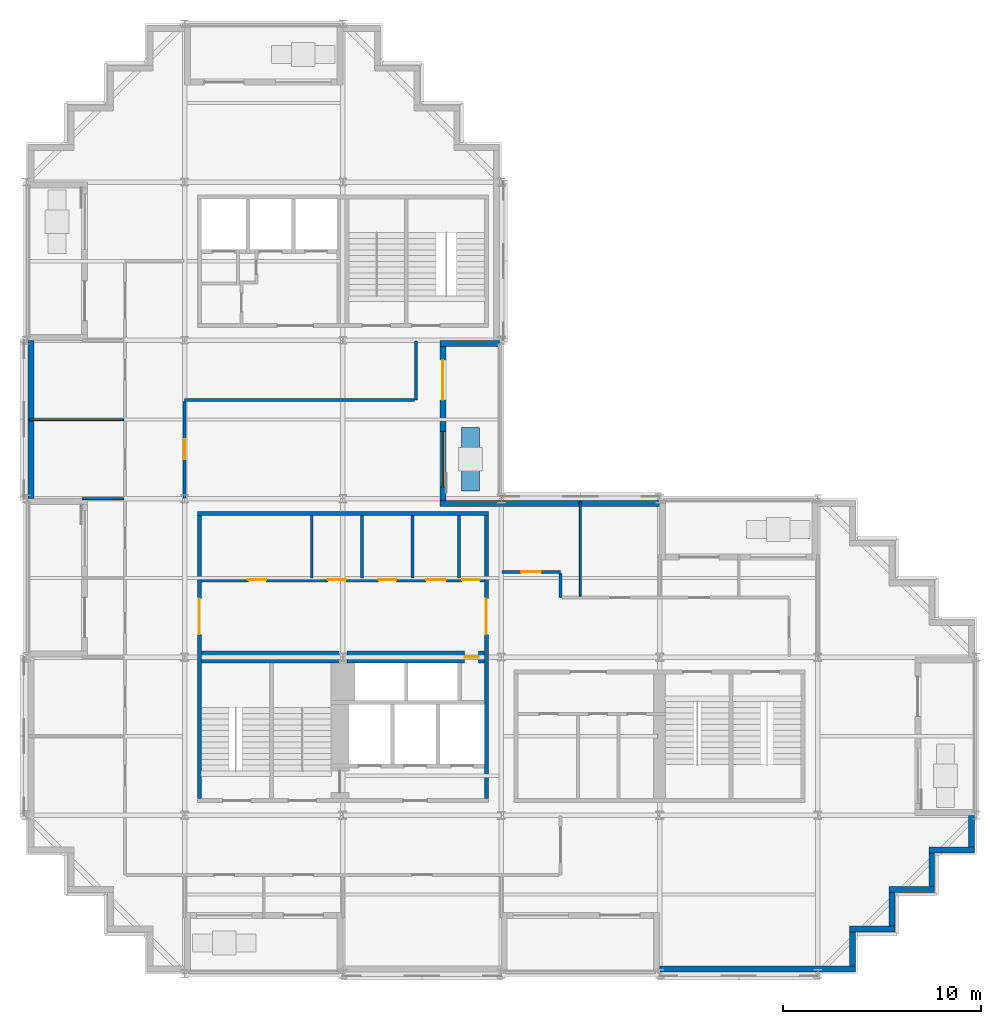
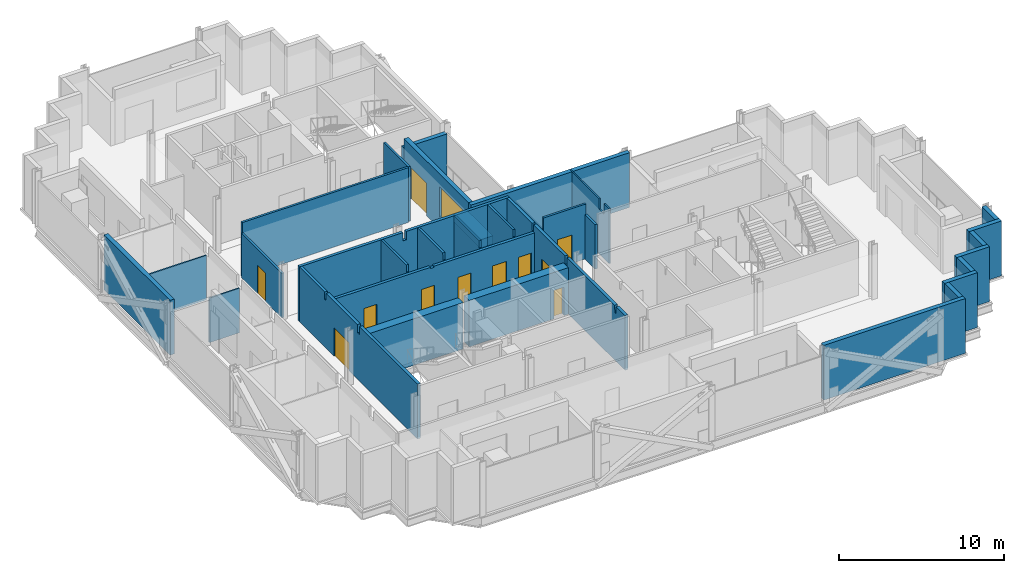
# One storey, part 6 of 12: 31 walls, 11 doors, 1 window, 12 openings.
"""IFC4 building model written with IfcOpenShell, lengths in metres."""

from ifc_helpers import new_model, si_unit, direction, frame, frame_2d, origin, place, context, subcontext, project, spatial, polyline, rectangle, outline, extrude, material, layer, layer_set, type_object, element, fill, save


model = new_model("IFC4")

# Units and contexts
model_context = context("Model", 3, precision=1e-05, world=origin(), true_north=direction((0.0, 1.0)))
body_context = subcontext(model_context, "Body", "Model", "MODEL_VIEW")
ifc_project = project(units=[si_unit("LENGTHUNIT", "METRE"), si_unit("AREAUNIT", "SQUARE_METRE"), si_unit("VOLUMEUNIT", "CUBIC_METRE"), si_unit("PLANEANGLEUNIT", "RADIAN"), si_unit("MASSUNIT", "GRAM", prefix="KILO")], contexts=[model_context])

# Site, building, storey
site_placement = place(None, origin())
site = spatial("IfcSite", under=ifc_project, at=site_placement, CompositionType="ELEMENT")
building_placement = place(site_placement, origin())
building = spatial("IfcBuilding", under=site, at=building_placement, Name="Immortelle Media Tower", CompositionType="ELEMENT")
storey_placement = place(building_placement, frame((0.0, 0.0, 132.60009765625)))
storey = spatial("IfcBuildingStorey", under=building, at=storey_placement, Name="L26", CompositionType="ELEMENT", Elevation=132.60009765625)

# Wall, opening, door
ifc_material_1 = material(Name="Fire-rated masonry blockwork", Category="masonry")
ifc_layer_1 = layer(ifc_material_1, 0.60009765625)
ifc_layer_set_1 = layer_set([ifc_layer_1], Name="Fire-rated masonry blockwork")
wall_type_1 = type_object("IfcWallType", Name="Core grid-line wall 600", PredefinedType="PARTITIONING", material=ifc_layer_set_1)
wall_1_placement = place(storey_placement, frame((16.21044921875, 16.0, 0.0), z_axis=(0.0, 0.0, 1.0), x_axis=(1.0, 0.0, 0.0)))
wall_1 = element("IfcWall", 1, at=wall_1_placement, inside=storey, type_object=wall_type_1, Name="Core grid-line wall SW", PredefinedType="PARTITIONING", context=body_context, shape_type="SweptSolid", body=[
    extrude(rectangle(XDim=6.939453125, YDim=0.60009765625, at=frame_2d((3.4697265625, 0.0))), origin(), (0.0, 0.0, 1.0), 3.431884765625),
])
opening_1_placement = place(wall_1_placement, frame((6.639404296875, 0.0, 0.0), z_axis=(0.0, 0.0, 1.0), x_axis=(-1.0, 0.0, 0.0)))
opening_1 = element("IfcOpeningElement", 2, at=opening_1_placement, cuts=wall_1, Name="Opening C2-K014", PredefinedType="OPENING", context=body_context, shape_type="SweptSolid", body=[
    extrude(rectangle(XDim=0.699951171875, YDim=2.10009765625, at=frame_2d((0.35009765625, 1.050048828125))), frame((0.0, 0.31005859375, 0.0), z_axis=(0.0, -1.0, 0.0), x_axis=(1.0, 0.0, 0.0)), (0.0, 0.0, 1.0), 0.6201171875),
])
ifc_material_2 = material(Name="Galvanised steel door leaf and frame ASTM A653", Category="steel")
door_type_1 = type_object("IfcDoorType", Name="Service door 700 x 2100", OperationType="NOTDEFINED", PredefinedType="NOTDEFINED", material=ifc_material_2)
door_1_placement = place(opening_1_placement, origin())
door_1 = element("IfcDoor", 3, at=door_1_placement, inside=storey, type_object=door_type_1, Name="Service C2-K014", OperationType="SINGLE_SWING_RIGHT", OverallHeight=2.10009765625, OverallWidth=0.699951171875, PredefinedType="NOTDEFINED", context=body_context, shape_type="SweptSolid", body=[
    extrude(rectangle(XDim=0.699951171875, YDim=2.10009765625, at=frame_2d((0.35009765625, 1.050048828125))), frame((0.0, 0.02490234375, 0.0), z_axis=(0.0, -1.0, 0.0), x_axis=(1.0, 0.0, 0.0)), (0.0, 0.0, 1.0), 0.050048828125),
])
fill(opening_1, door_1)

# Walls
ifc_material_3 = material(Name="Fire-rated gypsum board", Category="gypsum")
ifc_layer_2 = layer(ifc_material_3, 0.02490234375)
ifc_material_4 = material(Name="Steel ASTM A653 SS Gr 50 stud frame with mineral wool", Category="steel")
ifc_layer_3 = layer(ifc_material_4, 0.10009765625)
ifc_layer_4 = layer(ifc_material_3, 0.02490234375)
ifc_layer_set_2 = layer_set([ifc_layer_2, ifc_layer_3, ifc_layer_4], Name="Steel ASTM A653 SS Gr 50 stud frame with mineral wool")
wall_type_2 = type_object("IfcWallType", Name="Core partition 150", PredefinedType="PARTITIONING", material=ifc_layer_set_2)
for number, where, z_axis, x_axis, name in (
    (4, (14.425048828125, 20.0, 0.0), (0.0, 0.0, 1.0), (0.0, 1.0, 0.0), "Core partition SW"),
    (5, (16.97509765625, 20.0, 0.0), (0.0, 0.0, 1.0), (0.0, 1.0, 0.0), "Core partition SW"),
    (6, (19.52490234375, 20.0, 0.0), (0.0, 0.0, 1.0), (0.0, 1.0, 0.0), "Core partition SW"),
    (7, (21.875, 20.0, 0.0), (0.0, 0.0, 1.0), (0.0, 1.0, 0.0), "Core partition SW"),
):
    element("IfcWall", number, at=place(storey_placement, frame(where, z_axis=z_axis, x_axis=x_axis)), inside=storey, type_object=wall_type_2, Name=name, PredefinedType="PARTITIONING", context=body_context, shape_type="SweptSolid", body=[
        extrude(outline(polyline([(0.0, 0.0), (3.14990234375, 0.0), (3.14990234375, 4.0498046875), (0.08740234375, 4.0498046875), (0.08642578125, 3.517822265625), (0.0, 3.517822265625), (0.0, 0.0)])), frame((0.0, 0.074951171875, 0.0), z_axis=(0.0, -1.0, 0.0), x_axis=(1.0, 0.0, 0.0)), (0.0, 0.0, 1.0), 0.14990234375),
    ])
ifc_layer_5 = layer(ifc_material_3, 0.03759765625)
ifc_layer_6 = layer(ifc_material_4, 0.125)
ifc_layer_7 = layer(ifc_material_3, 0.03759765625)
ifc_layer_set_3 = layer_set([ifc_layer_5, ifc_layer_6, ifc_layer_7], Name="Steel ASTM A653 SS Gr 50 stud frame with mineral wool")
wall_type_3 = type_object("IfcWallType", Name="Core shaft wall 200", PredefinedType="PARTITIONING", material=ifc_layer_set_3)
wall_2_placement = place(storey_placement, frame((8.64990234375, 23.25, 0.0), z_axis=(0.0, 0.0, 1.0), x_axis=(1.0, 0.0, 0.0)))
element("IfcWall", 8, at=wall_2_placement, inside=storey, type_object=wall_type_3, Name="Core shaft wall SW", PredefinedType="PARTITIONING", context=body_context, shape_type="SweptSolid", body=[
    extrude(outline(polyline([(0.0, 0.0), (14.7001953125, 0.0), (14.699951171875, 4.0498046875), (7.469482421875, 4.0498046875), (7.468505859375, 3.431884765625), (7.2314453125, 3.431884765625), (7.23046875, 4.0498046875), (0.0, 4.0498046875), (0.0, 0.0)])), frame((0.0, 0.10009765625, 0.0), z_axis=(0.0, -1.0, 0.0), x_axis=(1.0, 0.0, 0.0)), (0.0, 0.0, 1.0), 0.199951171875),
])

# Wall, openings, doors
wall_3_placement = place(storey_placement, frame((8.85009765625, 19.89990234375, 0.0), z_axis=(0.0, 0.0, 1.0), x_axis=(1.0, 0.0, 0.0)))
wall_3 = element("IfcWall", 9, at=wall_3_placement, inside=storey, type_object=wall_type_3, Name="Core shaft wall SW", PredefinedType="PARTITIONING", context=body_context, shape_type="SweptSolid", body=[
    extrude(outline(polyline([(0.0, 0.0), (14.2998046875, 0.0), (14.300048828125, 3.517822265625), (7.26953125, 3.517822265625), (7.2685546875, 3.431884765625), (7.031494140625, 3.431884765625), (7.030517578125, 3.517822265625), (0.0, 3.517822265625), (0.0, 0.0)])), frame((0.0, 0.10009765625, 0.0), z_axis=(0.0, -1.0, 0.0), x_axis=(1.0, 0.0, 0.0)), (0.0, 0.0, 1.0), 0.199951171875),
])
opening_2_placement = place(wall_3_placement, frame((2.375, 0.0, 0.0)))
opening_2 = element("IfcOpeningElement", 10, at=opening_2_placement, cuts=wall_3, Name="Opening C2-K003", PredefinedType="OPENING", context=body_context, shape_type="SweptSolid", body=[
    extrude(rectangle(XDim=0.89990234375, YDim=2.10009765625, at=frame_2d((0.449951171875, 1.050048828125))), frame((0.0, 0.10986328125, 0.0), z_axis=(0.0, -1.0, 0.0), x_axis=(1.0, 0.0, 0.0)), (0.0, 0.0, 1.0), 0.219970703125),
])
opening_3_placement = place(wall_3_placement, frame((6.39990234375, 0.0, 0.0)))
opening_3 = element("IfcOpeningElement", 11, at=opening_3_placement, cuts=wall_3, Name="Opening C2-K005", PredefinedType="OPENING", context=body_context, shape_type="SweptSolid", body=[
    extrude(rectangle(XDim=0.89990234375, YDim=2.10009765625, at=frame_2d((0.449951171875, 1.050048828125))), frame((0.0, 0.10986328125, 0.0), z_axis=(0.0, -1.0, 0.0), x_axis=(1.0, 0.0, 0.0)), (0.0, 0.0, 1.0), 0.219970703125),
])
opening_4_placement = place(wall_3_placement, frame((8.949951171875, 0.0, 0.0)))
opening_4 = element("IfcOpeningElement", 12, at=opening_4_placement, cuts=wall_3, Name="Opening C2-K008", PredefinedType="OPENING", context=body_context, shape_type="SweptSolid", body=[
    extrude(rectangle(XDim=0.89990234375, YDim=2.10009765625, at=frame_2d((0.449951171875, 1.050048828125))), frame((0.0, 0.10986328125, 0.0), z_axis=(0.0, -1.0, 0.0), x_axis=(1.0, 0.0, 0.0)), (0.0, 0.0, 1.0), 0.219970703125),
])
opening_5_placement = place(wall_3_placement, frame((11.35009765625, 0.0, 0.0)))
opening_5 = element("IfcOpeningElement", 13, at=opening_5_placement, cuts=wall_3, Name="Opening C2-K011", PredefinedType="OPENING", context=body_context, shape_type="SweptSolid", body=[
    extrude(rectangle(XDim=1.0, YDim=2.10009765625, at=frame_2d((0.5, 1.050048828125))), frame((0.0, 0.10986328125, 0.0), z_axis=(0.0, -1.0, 0.0), x_axis=(1.0, 0.0, 0.0)), (0.0, 0.0, 1.0), 0.219970703125),
])
opening_6_placement = place(wall_3_placement, frame((13.175048828125, 0.0, 0.0)))
opening_6 = element("IfcOpeningElement", 14, at=opening_6_placement, cuts=wall_3, Name="Opening C2-K013", PredefinedType="OPENING", context=body_context, shape_type="SweptSolid", body=[
    extrude(rectangle(XDim=0.89990234375, YDim=2.10009765625, at=frame_2d((0.449951171875, 1.050048828125))), frame((0.0, 0.10986328125, 0.0), z_axis=(0.0, -1.0, 0.0), x_axis=(1.0, 0.0, 0.0)), (0.0, 0.0, 1.0), 0.219970703125),
])
ifc_material_5 = material(Name="Timber", Category="wood")
door_type_2 = type_object("IfcDoorType", Name="Accessible toilet door 1000 x 2100", OperationType="NOTDEFINED", PredefinedType="NOTDEFINED", material=ifc_material_5)
door_2_placement = place(opening_5_placement, origin())
door_2 = element("IfcDoor", 15, at=door_2_placement, inside=storey, type_object=door_type_2, Name="Accessible toilet C2-K011", OperationType="SINGLE_SWING_RIGHT", OverallHeight=2.10009765625, OverallWidth=1.0, PredefinedType="NOTDEFINED", context=body_context, shape_type="SweptSolid", body=[
    extrude(rectangle(XDim=1.0, YDim=2.10009765625, at=frame_2d((0.5, 1.050048828125))), frame((0.0, 0.02490234375, 0.0), z_axis=(0.0, -1.0, 0.0), x_axis=(1.0, 0.0, 0.0)), (0.0, 0.0, 1.0), 0.050048828125),
])
fill(opening_5, door_2)
door_type_3 = type_object("IfcDoorType", Name="Room door 900 x 2100", OperationType="NOTDEFINED", PredefinedType="NOTDEFINED", material=ifc_material_5)
door_3_placement = place(opening_2_placement, origin())
door_3 = element("IfcDoor", 16, at=door_3_placement, inside=storey, type_object=door_type_3, Name="Room C2-K003", OperationType="SINGLE_SWING_RIGHT", OverallHeight=2.10009765625, OverallWidth=0.89990234375, PredefinedType="NOTDEFINED", context=body_context, shape_type="SweptSolid", body=[
    extrude(rectangle(XDim=0.89990234375, YDim=2.10009765625, at=frame_2d((0.449951171875, 1.050048828125))), frame((0.0, 0.02490234375, 0.0), z_axis=(0.0, -1.0, 0.0), x_axis=(1.0, 0.0, 0.0)), (0.0, 0.0, 1.0), 0.050048828125),
])
fill(opening_2, door_3)
door_type_4 = type_object("IfcDoorType", Name="Service door 900 x 2100", OperationType="NOTDEFINED", PredefinedType="NOTDEFINED", material=ifc_material_2)
door_4_placement = place(opening_6_placement, origin())
door_4 = element("IfcDoor", 17, at=door_4_placement, inside=storey, type_object=door_type_4, Name="Service C2-K013", OperationType="SINGLE_SWING_LEFT", OverallHeight=2.10009765625, OverallWidth=0.89990234375, PredefinedType="NOTDEFINED", context=body_context, shape_type="SweptSolid", body=[
    extrude(rectangle(XDim=0.89990234375, YDim=2.10009765625, at=frame_2d((0.449951171875, 1.050048828125))), frame((0.0, 0.02490234375, 0.0), z_axis=(0.0, -1.0, 0.0), x_axis=(1.0, 0.0, 0.0)), (0.0, 0.0, 1.0), 0.050048828125),
])
fill(opening_6, door_4)
door_type_5 = type_object("IfcDoorType", Name="Toilet door 900 x 2100", OperationType="NOTDEFINED", PredefinedType="NOTDEFINED", material=ifc_material_5)
door_5_placement = place(opening_3_placement, origin())
door_5 = element("IfcDoor", 18, at=door_5_placement, inside=storey, type_object=door_type_5, Name="Toilet C2-K005", OperationType="SINGLE_SWING_LEFT", OverallHeight=2.10009765625, OverallWidth=0.89990234375, PredefinedType="NOTDEFINED", context=body_context, shape_type="SweptSolid", body=[
    extrude(rectangle(XDim=0.89990234375, YDim=2.10009765625, at=frame_2d((0.449951171875, 1.050048828125))), frame((0.0, 0.02490234375, 0.0), z_axis=(0.0, -1.0, 0.0), x_axis=(1.0, 0.0, 0.0)), (0.0, 0.0, 1.0), 0.050048828125),
])
fill(opening_3, door_5)
door_6_placement = place(opening_4_placement, origin())
door_6 = element("IfcDoor", 19, at=door_6_placement, inside=storey, type_object=door_type_5, Name="Toilet C2-K008", OperationType="SINGLE_SWING_LEFT", OverallHeight=2.10009765625, OverallWidth=0.89990234375, PredefinedType="NOTDEFINED", context=body_context, shape_type="SweptSolid", body=[
    extrude(rectangle(XDim=0.89990234375, YDim=2.10009765625, at=frame_2d((0.449951171875, 1.050048828125))), frame((0.0, 0.02490234375, 0.0), z_axis=(0.0, -1.0, 0.0), x_axis=(1.0, 0.0, 0.0)), (0.0, 0.0, 1.0), 0.050048828125),
])
fill(opening_4, door_6)

# Wall, opening, door
wall_4_placement = place(storey_placement, frame((23.25, 8.85009765625, 0.0), z_axis=(0.0, 0.0, 1.0), x_axis=(0.0, 1.0, 0.0)))
wall_4 = element("IfcWall", 20, at=wall_4_placement, inside=storey, type_object=wall_type_3, Name="Core shaft wall SW", PredefinedType="PARTITIONING", context=body_context, shape_type="SweptSolid", body=[
    extrude(outline(polyline([(0.0, 0.0), (14.2998046875, 0.0), (14.300048828125, 4.0498046875), (11.237548828125, 4.0498046875), (11.236572265625, 3.517822265625), (11.0634765625, 3.517822265625), (11.0625, 4.0498046875), (7.26953125, 4.0498046875), (7.2685546875, 3.431884765625), (7.031494140625, 3.431884765625), (7.030517578125, 4.0498046875), (1.237548828125, 4.0498046875), (1.236572265625, 3.517822265625), (1.0634765625, 3.517822265625), (1.0625, 4.0498046875), (0.0, 4.0498046875), (0.0, 0.0)])), frame((0.0, 0.10009765625, 0.0), z_axis=(0.0, -1.0, 0.0), x_axis=(1.0, 0.0, 0.0)), (0.0, 0.0, 1.0), 0.199951171875),
])
opening_7_placement = place(wall_4_placement, frame((8.300048828125, 0.0, 0.0)))
opening_7 = element("IfcOpeningElement", 21, at=opening_7_placement, cuts=wall_4, Name="Opening C2-K015", PredefinedType="OPENING", context=body_context, shape_type="SweptSolid", body=[
    extrude(rectangle(XDim=1.800048828125, YDim=2.10009765625, at=frame_2d((0.89990234375, 1.050048828125))), frame((0.0, 0.10986328125, 0.0), z_axis=(0.0, -1.0, 0.0), x_axis=(1.0, 0.0, 0.0)), (0.0, 0.0, 1.0), 0.219970703125),
])
door_type_6 = type_object("IfcDoorType", Name="Lift lobby door 1800 x 2100", OperationType="DOUBLE_DOOR_SINGLE_SWING", PredefinedType="NOTDEFINED", material=ifc_material_2)
door_7_placement = place(opening_7_placement, origin())
door_7 = element("IfcDoor", 22, at=door_7_placement, inside=storey, type_object=door_type_6, Name="Lift lobby C2-K015", OperationType="DOUBLE_DOOR_SINGLE_SWING", OverallHeight=2.10009765625, OverallWidth=1.800048828125, PredefinedType="NOTDEFINED", context=body_context, shape_type="SweptSolid", body=[
    extrude(rectangle(XDim=1.800048828125, YDim=2.10009765625, at=frame_2d((0.89990234375, 1.050048828125))), frame((0.0, 0.02490234375, 0.0), z_axis=(0.0, -1.0, 0.0), x_axis=(1.0, 0.0, 0.0)), (0.0, 0.0, 1.0), 0.050048828125),
])
fill(opening_7, door_7)

# Wall
ifc_layer_8 = layer(ifc_material_3, 0.012451171875)
ifc_layer_9 = layer(ifc_material_4, 0.125)
ifc_layer_10 = layer(ifc_material_3, 0.012451171875)
ifc_layer_set_4 = layer_set([ifc_layer_8, ifc_layer_9, ifc_layer_10], Name="Steel ASTM A653 SS Gr 50 stud frame with mineral wool")
wall_type_4 = type_object("IfcWallType", Name="Corridor wall 150", PredefinedType="PARTITIONING", material=ifc_layer_set_4)
wall_5_placement = place(storey_placement, frame((27.0, 19.0, 0.0), z_axis=(0.0, 0.0, 1.0), x_axis=(0.0, 1.0, 0.0)))
element("IfcWall", 23, at=wall_5_placement, inside=storey, type_object=wall_type_4, Name="Partition L26-013", PredefinedType="PARTITIONING", context=body_context, shape_type="SweptSolid", body=[
    extrude(rectangle(XDim=1.22509765625, YDim=0.14990234375, at=frame_2d((0.612548828125, 0.0))), origin(), (0.0, 0.0, 1.0), 3.287841796875),
])

# Wall, opening, door
wall_6_placement = place(storey_placement, frame((24.030029296875, 20.300048828125, 0.0), z_axis=(0.0, 0.0, 1.0), x_axis=(1.0, 0.0, 0.0)))
wall_6 = element("IfcWall", 24, at=wall_6_placement, inside=storey, type_object=wall_type_4, Name="Partition L26-018", PredefinedType="PARTITIONING", context=body_context, shape_type="SweptSolid", body=[
    extrude(rectangle(XDim=2.969970703125, YDim=0.14990234375, at=frame_2d((1.48486328125, 0.0))), origin(), (0.0, 0.0, 1.0), 4.0498046875),
])
opening_8_placement = place(wall_6_placement, frame((0.969970703125, 0.0, 0.0)))
opening_8 = element("IfcOpeningElement", 25, at=opening_8_placement, cuts=wall_6, Name="Opening C2-F011", PredefinedType="OPENING", context=body_context, shape_type="SweptSolid", body=[
    extrude(rectangle(XDim=1.0, YDim=2.10009765625, at=frame_2d((0.5, 1.050048828125))), frame((0.0, 0.0849609375, 0.0), z_axis=(0.0, -1.0, 0.0), x_axis=(1.0, 0.0, 0.0)), (0.0, 0.0, 1.0), 0.169921875),
])
ifc_material_6 = material(Name="Timber veneered door leaf, galvanised steel frame ASTM A653", Category="steel")
door_type_7 = type_object("IfcDoorType", Name="Room door 1000 x 2100", OperationType="NOTDEFINED", PredefinedType="DOOR", material=ifc_material_6)
door_8_placement = place(opening_8_placement, origin())
door_8 = element("IfcDoor", 26, at=door_8_placement, inside=storey, type_object=door_type_7, Name="Door C2-F011", OperationType="SINGLE_SWING_LEFT", OverallHeight=2.10009765625, OverallWidth=1.0, PredefinedType="DOOR", context=body_context, shape_type="SweptSolid", body=[
    extrude(rectangle(XDim=1.0, YDim=2.10009765625, at=frame_2d((0.5, 1.050048828125))), frame((0.0, 0.02490234375, 0.0), z_axis=(0.0, -1.0, 0.0), x_axis=(1.0, 0.0, 0.0)), (0.0, 0.0, 1.0), 0.050048828125),
])
fill(opening_8, door_8)

wall_7_placement = place(storey_placement, frame((8.0, 24.030029296875, 0.0), z_axis=(0.0, 0.0, 1.0), x_axis=(0.0, 1.0, 0.0)))
wall_7 = element("IfcWall", 27, at=wall_7_placement, inside=storey, type_object=wall_type_4, Name="Partition L26-020", PredefinedType="PARTITIONING", context=body_context, shape_type="SweptSolid", body=[
    extrude(rectangle(XDim=4.89501953125, YDim=0.14990234375, at=frame_2d((2.447509765625, 0.0))), origin(), (0.0, 0.0, 1.0), 3.287841796875),
])
opening_9_placement = place(wall_7_placement, frame((2.969970703125, 0.0, 0.0), z_axis=(0.0, 0.0, 1.0), x_axis=(-1.0, 0.0, 0.0)))
opening_9 = element("IfcOpeningElement", 28, at=opening_9_placement, cuts=wall_7, Name="Opening C2-F013", PredefinedType="OPENING", context=body_context, shape_type="SweptSolid", body=[
    extrude(rectangle(XDim=1.0, YDim=2.10009765625, at=frame_2d((0.5, 1.050048828125))), frame((0.0, 0.0849609375, 0.0), z_axis=(0.0, -1.0, 0.0), x_axis=(1.0, 0.0, 0.0)), (0.0, 0.0, 1.0), 0.169921875),
])
door_9_placement = place(opening_9_placement, origin())
door_9 = element("IfcDoor", 29, at=door_9_placement, inside=storey, type_object=door_type_7, Name="Door C2-F013", OperationType="SINGLE_SWING_RIGHT", OverallHeight=2.10009765625, OverallWidth=1.0, PredefinedType="DOOR", context=body_context, shape_type="SweptSolid", body=[
    extrude(rectangle(XDim=1.0, YDim=2.10009765625, at=frame_2d((0.5, 1.050048828125))), frame((0.0, 0.02490234375, 0.0), z_axis=(0.0, -1.0, 0.0), x_axis=(1.0, 0.0, 0.0)), (0.0, 0.0, 1.0), 0.050048828125),
])
fill(opening_9, door_9)

# Walls
wall_8_placement = place(storey_placement, frame((8.0, 29.0, 0.0), z_axis=(0.0, 0.0, 1.0), x_axis=(1.0, 0.0, 0.0)))
element("IfcWall", 30, at=wall_8_placement, inside=storey, type_object=wall_type_4, Name="Partition L26-022", PredefinedType="PARTITIONING", context=body_context, shape_type="SweptSolid", body=[
    extrude(rectangle(XDim=11.625, YDim=0.14990234375, at=frame_2d((5.8125, 0.0))), origin(), (0.0, 0.0, 1.0), 4.0498046875),
])
wall_9_placement = place(storey_placement, frame((19.699951171875, 29.0, 0.0), z_axis=(0.0, 0.0, 1.0), x_axis=(0.0, 1.0, 0.0)))
element("IfcWall", 31, at=wall_9_placement, inside=storey, type_object=wall_type_4, Name="Partition L26-023", PredefinedType="PARTITIONING", context=body_context, shape_type="SweptSolid", body=[
    extrude(rectangle(XDim=2.969970703125, YDim=0.14990234375, at=frame_2d((1.48486328125, 0.0))), origin(), (0.0, 0.0, 1.0), 4.0498046875),
])
ifc_material_7 = material(Name="Pale aluminium cladding panel", Category="aluminium")
ifc_layer_11 = layer(ifc_material_7, 0.030029296875)
ifc_layer_12 = layer(ifc_material_4, 0.257568359375)
ifc_material_8 = material(Name="Moisture-resistant gypsum board", Category="gypsum")
ifc_layer_13 = layer(ifc_material_8, 0.012451171875)
ifc_layer_set_5 = layer_set([ifc_layer_11, ifc_layer_12, ifc_layer_13], Name="Steel ASTM A653 SS Gr 50 stud frame with mineral wool")
wall_type_5 = type_object("IfcWallType", Name="Facade wall 300", PredefinedType="SOLIDWALL", material=ifc_layer_set_5)
wall_10_placement = place(storey_placement, frame((32.0, 0.25, 0.0), z_axis=(0.0, 0.0, 1.0), x_axis=(1.0, 0.0, 0.0)))
element("IfcWall", 32, at=wall_10_placement, inside=storey, type_object=wall_type_5, Name="Facade wall L26 S6", PredefinedType="SOLIDWALL", context=body_context, shape_type="SweptSolid", body=[
    extrude(rectangle(XDim=9.89990234375, YDim=0.300048828125, at=frame_2d((4.949951171875, 0.0))), origin(), (0.0, 0.0, 1.0), 4.0498046875),
])
wall_11_placement = place(storey_placement, frame((41.75, 0.39990234375, 0.0), z_axis=(0.0, 0.0, 1.0), x_axis=(0.0, 1.0, 0.0)))
element("IfcWall", 33, at=wall_11_placement, inside=storey, type_object=wall_type_5, Name="Facade wall L26 E7", PredefinedType="SOLIDWALL", context=body_context, shape_type="SweptSolid", body=[
    extrude(rectangle(XDim=1.7001953125, YDim=0.300048828125, at=frame_2d((0.85009765625, 0.0))), origin(), (0.0, 0.0, 1.0), 4.0498046875),
])
wall_12_placement = place(storey_placement, frame((41.60009765625, 2.25, 0.0), z_axis=(0.0, 0.0, 1.0), x_axis=(1.0, 0.0, 0.0)))
element("IfcWall", 34, at=wall_12_placement, inside=storey, type_object=wall_type_5, Name="Facade wall L26 S8", PredefinedType="SOLIDWALL", context=body_context, shape_type="SweptSolid", body=[
    extrude(rectangle(XDim=2.2998046875, YDim=0.300048828125, at=frame_2d((1.14990234375, 0.0))), origin(), (0.0, 0.0, 1.0), 4.0498046875),
])
wall_13_placement = place(storey_placement, frame((43.75, 2.39990234375, 0.0), z_axis=(0.0, 0.0, 1.0), x_axis=(0.0, 1.0, 0.0)))
element("IfcWall", 35, at=wall_13_placement, inside=storey, type_object=wall_type_5, Name="Facade wall L26 E9", PredefinedType="SOLIDWALL", context=body_context, shape_type="SweptSolid", body=[
    extrude(rectangle(XDim=1.7001953125, YDim=0.300048828125, at=frame_2d((0.85009765625, 0.0))), origin(), (0.0, 0.0, 1.0), 4.0498046875),
])
wall_14_placement = place(storey_placement, frame((43.60009765625, 4.25, 0.0), z_axis=(0.0, 0.0, 1.0), x_axis=(1.0, 0.0, 0.0)))
element("IfcWall", 36, at=wall_14_placement, inside=storey, type_object=wall_type_5, Name="Facade wall L26 S10", PredefinedType="SOLIDWALL", context=body_context, shape_type="SweptSolid", body=[
    extrude(rectangle(XDim=2.2998046875, YDim=0.300048828125, at=frame_2d((1.14990234375, 0.0))), origin(), (0.0, 0.0, 1.0), 4.0498046875),
])
wall_15_placement = place(storey_placement, frame((45.75, 4.39990234375, 0.0), z_axis=(0.0, 0.0, 1.0), x_axis=(0.0, 1.0, 0.0)))
element("IfcWall", 37, at=wall_15_placement, inside=storey, type_object=wall_type_5, Name="Facade wall L26 E11", PredefinedType="SOLIDWALL", context=body_context, shape_type="SweptSolid", body=[
    extrude(rectangle(XDim=1.7001953125, YDim=0.300048828125, at=frame_2d((0.85009765625, 0.0))), origin(), (0.0, 0.0, 1.0), 4.0498046875),
])
wall_16_placement = place(storey_placement, frame((45.60009765625, 6.25, 0.0), z_axis=(0.0, 0.0, 1.0), x_axis=(1.0, 0.0, 0.0)))
element("IfcWall", 38, at=wall_16_placement, inside=storey, type_object=wall_type_5, Name="Facade wall L26 S12", PredefinedType="SOLIDWALL", context=body_context, shape_type="SweptSolid", body=[
    extrude(rectangle(XDim=2.2998046875, YDim=0.300048828125, at=frame_2d((1.14990234375, 0.0))), origin(), (0.0, 0.0, 1.0), 4.0498046875),
])
wall_17_placement = place(storey_placement, frame((47.75, 6.39990234375, 0.0), z_axis=(0.0, 0.0, 1.0), x_axis=(0.0, 1.0, 0.0)))
element("IfcWall", 39, at=wall_17_placement, inside=storey, type_object=wall_type_5, Name="Facade wall L26 E13", PredefinedType="SOLIDWALL", context=body_context, shape_type="SweptSolid", body=[
    extrude(rectangle(XDim=1.60009765625, YDim=0.300048828125, at=frame_2d((0.800048828125, 0.0))), origin(), (0.0, 0.0, 1.0), 4.0498046875),
])
wall_18_placement = place(storey_placement, frame((32.0, 23.75, 0.0), z_axis=(0.0, 0.0, 1.0), x_axis=(-1.0, 0.0, 0.0)))
element("IfcWall", 40, at=wall_18_placement, inside=storey, type_object=wall_type_5, Name="Facade wall L26 N20", PredefinedType="SOLIDWALL", context=body_context, shape_type="SweptSolid", body=[
    extrude(rectangle(XDim=11.10009765625, YDim=0.300048828125, at=frame_2d((5.550048828125, 0.0))), origin(), (0.0, 0.0, 1.0), 4.0498046875),
])

# Wall, openings, door, window
wall_19_placement = place(storey_placement, frame((21.050048828125, 23.89990234375, 0.0), z_axis=(0.0, 0.0, 1.0), x_axis=(0.0, 1.0, 0.0)))
wall_19 = element("IfcWall", 41, at=wall_19_placement, inside=storey, type_object=wall_type_5, Name="Loggia wall L26 E21", PredefinedType="SOLIDWALL", context=body_context, shape_type="SweptSolid", body=[
    extrude(rectangle(XDim=7.800048828125, YDim=0.300048828125, at=frame_2d((3.89990234375, 0.0))), origin(), (0.0, 0.0, 1.0), 4.0498046875),
])
opening_10_placement = place(wall_19_placement, frame((0.699951171875, 0.0, 0.89990234375)))
opening_10 = element("IfcOpeningElement", 42, at=opening_10_placement, cuts=wall_19, Name="Opening W1", PredefinedType="OPENING", context=body_context, shape_type="SweptSolid", body=[
    extrude(rectangle(XDim=2.800048828125, YDim=2.199951171875, at=frame_2d((1.39990234375, 1.10009765625))), frame((0.0, 0.159912109375, 0.0), z_axis=(0.0, -1.0, 0.0), x_axis=(1.0, 0.0, 0.0)), (0.0, 0.0, 1.0), 0.320068359375),
])
opening_11_placement = place(wall_19_placement, frame((5.10009765625, 0.0, 0.0)))
opening_11 = element("IfcOpeningElement", 43, at=opening_11_placement, cuts=wall_19, Name="Opening C2-E005", PredefinedType="OPENING", context=body_context, shape_type="SweptSolid", body=[
    extrude(rectangle(XDim=2.0, YDim=2.39990234375, at=frame_2d((1.0, 1.199951171875))), frame((0.0, 0.159912109375, 0.0), z_axis=(0.0, -1.0, 0.0), x_axis=(1.0, 0.0, 0.0)), (0.0, 0.0, 1.0), 0.320068359375),
])
ifc_material_9 = material(Name="Aluminium frame, glazed leaves", Category="aluminium")
door_type_8 = type_object("IfcDoorType", Name="Loggia door 2000 x 2400", OperationType="DOUBLE_DOOR_SINGLE_SWING", PredefinedType="DOOR", material=ifc_material_9)
door_10_placement = place(opening_11_placement, origin())
door_10 = element("IfcDoor", 44, at=door_10_placement, inside=storey, type_object=door_type_8, Name="Door C2-E005", OperationType="DOUBLE_DOOR_SINGLE_SWING", OverallHeight=2.39990234375, OverallWidth=2.0, PredefinedType="DOOR", context=body_context, shape_type="SweptSolid", body=[
    extrude(rectangle(XDim=2.0, YDim=2.39990234375, at=frame_2d((1.0, 1.199951171875))), frame((0.0, 0.02490234375, 0.0), z_axis=(0.0, -1.0, 0.0), x_axis=(1.0, 0.0, 0.0)), (0.0, 0.0, 1.0), 0.050048828125),
])
fill(opening_11, door_10)
ifc_material_10 = material(Name="Aluminium frame", Category="aluminium")
window_type = type_object("IfcWindowType", Name="Window 2800 x 2200", PartitioningType="SINGLE_PANEL", PredefinedType="WINDOW", material=ifc_material_10)
window_placement = place(opening_10_placement, origin())
window = element("IfcWindow", 45, at=window_placement, inside=storey, type_object=window_type, Name="Window L26 L26-R21-B0", OverallHeight=2.199951171875, OverallWidth=2.800048828125, PartitioningType="SINGLE_PANEL", PredefinedType="WINDOW", context=body_context, shape_type="SweptSolid", body=[
    extrude(rectangle(XDim=2.800048828125, YDim=2.199951171875, at=frame_2d((1.39990234375, 1.10009765625))), frame((0.0, 0.030029296875, 0.0), z_axis=(0.0, -1.0, 0.0), x_axis=(1.0, 0.0, 0.0)), (0.0, 0.0, 1.0), 0.06005859375),
])
fill(opening_10, window)

# Walls
wall_20_placement = place(storey_placement, frame((23.89990234375, 31.85009765625, 0.0), z_axis=(0.0, 0.0, 1.0), x_axis=(-1.0, 0.0, 0.0)))
element("IfcWall", 46, at=wall_20_placement, inside=storey, type_object=wall_type_5, Name="Loggia cheek wall L26 E", PredefinedType="SOLIDWALL", context=body_context, shape_type="SweptSolid", body=[
    extrude(rectangle(XDim=3.0, YDim=0.300048828125, at=frame_2d((1.5, 0.0))), origin(), (0.0, 0.0, 1.0), 3.35595703125),
])
wall_21_placement = place(storey_placement, frame((0.25, 32.0, 0.0), z_axis=(0.0, 0.0, 1.0), x_axis=(0.0, -1.0, 0.0)))
element("IfcWall", 47, at=wall_21_placement, inside=storey, type_object=wall_type_5, Name="Facade wall L26 W35", PredefinedType="SOLIDWALL", context=body_context, shape_type="SweptSolid", body=[
    extrude(rectangle(XDim=8.0, YDim=0.300048828125, at=frame_2d((4.0, 0.0))), origin(), (0.0, 0.0, 1.0), 4.0498046875),
])
ifc_material_11 = material(Name="Gypsum board", Category="gypsum")
ifc_layer_14 = layer(ifc_material_11, 0.012451171875)
ifc_layer_15 = layer(ifc_material_4, 0.074951171875)
ifc_layer_16 = layer(ifc_material_11, 0.012451171875)
ifc_layer_set_6 = layer_set([ifc_layer_14, ifc_layer_15, ifc_layer_16], Name="Steel ASTM A653 SS Gr 50 stud frame with mineral wool")
wall_type_6 = type_object("IfcWallType", Name="Partition 100", PredefinedType="PARTITIONING", material=ifc_layer_set_6)
wall_22_placement = place(storey_placement, frame((28.0, 19.074951171875, 0.0), z_axis=(0.0, 0.0, 1.0), x_axis=(0.0, 1.0, 0.0)))
element("IfcWall", 48, at=wall_22_placement, inside=storey, type_object=wall_type_6, Name="Partition L26-014", PredefinedType="PARTITIONING", context=body_context, shape_type="SweptSolid", body=[
    extrude(outline(polyline([(0.0, 0.0), (4.795166015625, 0.0), (4.794921875, 4.0498046875), (1.22509765625, 4.0498046875), (1.222900390625, 3.287841796875), (0.626953125, 3.287841796875), (0.625, 4.0498046875), (0.0, 4.0498046875), (0.0, 0.0)])), frame((0.0, 0.050048828125, 0.0), z_axis=(0.0, -1.0, 0.0), x_axis=(1.0, 0.0, 0.0)), (0.0, 0.0, 1.0), 0.10009765625),
])
wall_23_placement = place(storey_placement, frame((2.830078125, 24.0, 0.0), z_axis=(0.0, 0.0, 1.0), x_axis=(1.0, 0.0, 0.0)))
element("IfcWall", 49, at=wall_23_placement, inside=storey, type_object=wall_type_6, Name="Partition L26-019", PredefinedType="PARTITIONING", context=body_context, shape_type="SweptSolid", body=[
    extrude(rectangle(XDim=2.094970703125, YDim=0.10009765625, at=frame_2d((1.04736328125, 0.0))), origin(), (0.0, 0.0, 1.0), 3.287841796875),
])
wall_24_placement = place(storey_placement, frame((0.1298828125, 28.0, 0.0), z_axis=(0.0, 0.0, 1.0), x_axis=(1.0, 0.0, 0.0)))
element("IfcWall", 50, at=wall_24_placement, inside=storey, type_object=wall_type_6, Name="Partition L26-021", PredefinedType="PARTITIONING", context=body_context, shape_type="SweptSolid", body=[
    extrude(rectangle(XDim=4.795166015625, YDim=0.10009765625, at=frame_2d((2.3974609375, 0.0))), origin(), (0.0, 0.0, 1.0), 3.287841796875),
])
ifc_layer_17 = layer(ifc_material_7, 0.0029296875)
ifc_material_12 = material(Name="Steel ASTM A572 Gr 50 planter shell", Category="steel")
ifc_layer_18 = layer(ifc_material_12, 0.011962890625)
ifc_material_13 = material(Name="Planting substrate", Category="soil")
ifc_layer_19 = layer(ifc_material_13, 0.873046875)
ifc_layer_20 = layer(ifc_material_12, 0.011962890625)
ifc_layer_set_7 = layer_set([ifc_layer_17, ifc_layer_18, ifc_layer_19, ifc_layer_20], Name="Steel ASTM A572 Gr 50 planter shell")
wall_type_7 = type_object("IfcWallType", Name="Planter wall 900", PredefinedType="SOLIDWALL", material=ifc_layer_set_7)
wall_25_placement = place(storey_placement, frame((22.449951171875, 24.39990234375, 0.0), z_axis=(0.0, 0.0, 1.0), x_axis=(0.0, 1.0, 0.0)))
element("IfcWall", 51, at=wall_25_placement, inside=storey, type_object=wall_type_7, Name="Planter L26 E0", PredefinedType="SOLIDWALL", context=body_context, shape_type="SweptSolid", body=[
    extrude(rectangle(XDim=3.2001953125, YDim=0.89990234375, at=frame_2d((1.60009765625, 0.0))), origin(), (0.0, 0.0, 1.0), 0.599853515625),
])

# Wall, opening, door
ifc_material_14 = material(Name="Concrete C60", Category="concrete")
ifc_layer_21 = layer(ifc_material_14, 0.199951171875)
ifc_layer_set_8 = layer_set([ifc_layer_21], Name="Concrete C60")
wall_type_8 = type_object("IfcWallType", Name="Stair shaft wall 200", PredefinedType="PARTITIONING", material=ifc_layer_set_8)
wall_26_placement = place(storey_placement, frame((8.75, 8.85009765625, 0.0), z_axis=(0.0, 0.0, 1.0), x_axis=(0.0, 1.0, 0.0)))
wall_26 = element("IfcWall", 52, at=wall_26_placement, inside=storey, type_object=wall_type_8, Name="Stair shaft wall SW", PredefinedType="PARTITIONING", context=body_context, shape_type="SweptSolid", body=[
    extrude(outline(polyline([(0.0, 0.0), (14.2998046875, 0.0), (14.300048828125, 4.0498046875), (11.237548828125, 4.0498046875), (11.236572265625, 3.517822265625), (11.0634765625, 3.517822265625), (11.0625, 4.0498046875), (7.26953125, 4.0498046875), (7.2685546875, 3.431884765625), (7.031494140625, 3.431884765625), (7.030517578125, 4.0498046875), (0.0, 4.0498046875), (0.0, 0.0)])), frame((0.0, 0.10009765625, 0.0), z_axis=(0.0, -1.0, 0.0), x_axis=(1.0, 0.0, 0.0)), (0.0, 0.0, 1.0), 0.199951171875),
])
opening_12_placement = place(wall_26_placement, frame((8.300048828125, 0.0, 0.0)))
opening_12 = element("IfcOpeningElement", 53, at=opening_12_placement, cuts=wall_26, Name="Opening C2-K001", PredefinedType="OPENING", context=body_context, shape_type="SweptSolid", body=[
    extrude(rectangle(XDim=1.800048828125, YDim=2.10009765625, at=frame_2d((0.89990234375, 1.050048828125))), frame((0.0, 0.10986328125, 0.0), z_axis=(0.0, -1.0, 0.0), x_axis=(1.0, 0.0, 0.0)), (0.0, 0.0, 1.0), 0.219970703125),
])
door_11_placement = place(opening_12_placement, origin())
door_11 = element("IfcDoor", 54, at=door_11_placement, inside=storey, type_object=door_type_6, Name="Lift lobby C2-K001", OperationType="DOUBLE_DOOR_SINGLE_SWING", OverallHeight=2.10009765625, OverallWidth=1.800048828125, PredefinedType="NOTDEFINED", context=body_context, shape_type="SweptSolid", body=[
    extrude(rectangle(XDim=1.800048828125, YDim=2.10009765625, at=frame_2d((0.89990234375, 1.050048828125))), frame((0.0, 0.02490234375, 0.0), z_axis=(0.0, -1.0, 0.0), x_axis=(1.0, 0.0, 0.0)), (0.0, 0.0, 1.0), 0.050048828125),
])
fill(opening_12, door_11)

# Wall
ifc_layer_22 = layer(ifc_material_14, 0.60009765625)
ifc_layer_set_9 = layer_set([ifc_layer_22], Name="Concrete C60")
wall_type_9 = type_object("IfcWallType", Name="Stair shaft wall 600", PredefinedType="PARTITIONING", material=ifc_layer_set_9)
wall_27_placement = place(storey_placement, frame((8.85009765625, 16.0, 0.0), z_axis=(0.0, 0.0, 1.0), x_axis=(1.0, 0.0, 0.0)))
element("IfcWall", 55, at=wall_27_placement, inside=storey, type_object=wall_type_9, Name="Stair shaft wall SW", PredefinedType="PARTITIONING", context=body_context, shape_type="SweptSolid", body=[
    extrude(rectangle(XDim=6.939453125, YDim=0.60009765625, at=frame_2d((3.4697265625, 0.0))), origin(), (0.0, 0.0, 1.0), 3.431884765625),
])

save(model, "model.ifc")
